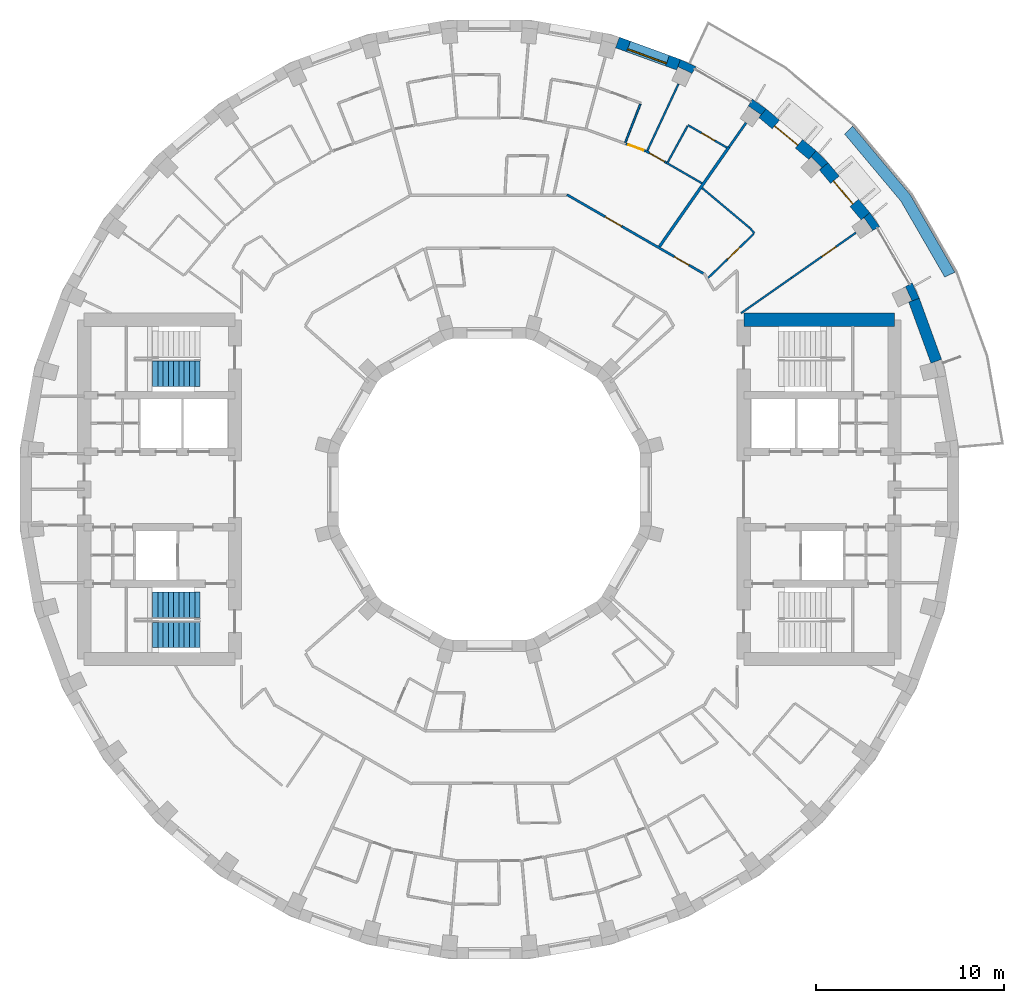
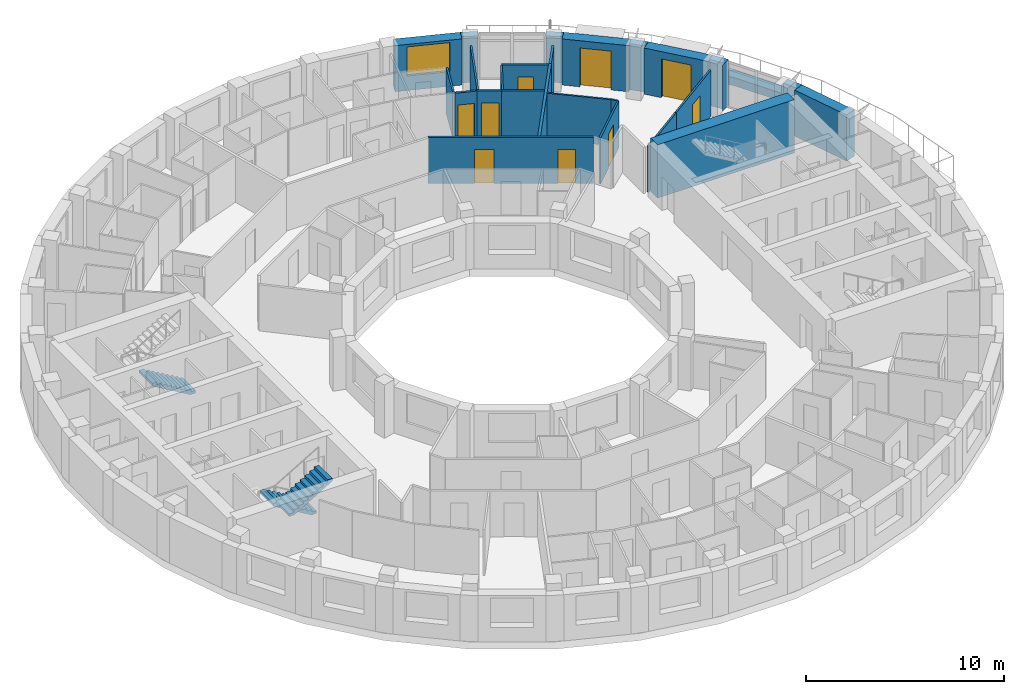
# One storey, part 13 of 15: 26 walls, 9 doors, 3 stair flights, 1 window, 10 openings, 2 elements without a shape of their own.
"""IFC4 building model written with IfcOpenShell, lengths in metres."""

from ifc_helpers import new_model, si_unit, direction, frame, frame_2d, origin, place, context, subcontext, project, spatial, polyline, rectangle, outline, extrude, material, layer, layer_set, type_object, element, fill, aggregate, save


model = new_model("IFC4")

# Units and contexts
model_context = context("Model", 3, precision=1e-05, world=origin(), true_north=direction((0.0, 1.0)))
body_context = subcontext(model_context, "Body", "Model", "MODEL_VIEW")
ifc_project = project(units=[si_unit("LENGTHUNIT", "METRE"), si_unit("AREAUNIT", "SQUARE_METRE"), si_unit("VOLUMEUNIT", "CUBIC_METRE"), si_unit("PLANEANGLEUNIT", "RADIAN"), si_unit("MASSUNIT", "GRAM", prefix="KILO")], contexts=[model_context])

# Site, building, storey
site_placement = place(None, origin())
site = spatial("IfcSite", under=ifc_project, at=site_placement, CompositionType="ELEMENT")
building_placement = place(site_placement, origin())
building = spatial("IfcBuilding", under=site, at=building_placement, Name="Saqina Gate Tower", CompositionType="ELEMENT")
storey_placement = place(building_placement, frame((0.0, 0.0, 190.5)))
storey = spatial("IfcBuildingStorey", under=building, at=storey_placement, Name="L54", CompositionType="ELEMENT", Elevation=190.5)

# Walls
ifc_material_1 = material(Name="Brick masonry (buff)", Category="masonry")
wall_type_1 = type_object("IfcWallType", Name="BRICK PIER COPING BUFF", PredefinedType="SOLIDWALL", material=ifc_material_1)
wall_1_placement = place(storey_placement, origin())
element("IfcWall", 1, at=wall_1_placement, inside=storey, type_object=wall_type_1, Name="Pier cap L54 column 3", PredefinedType="SOLIDWALL", context=body_context, shape_type="SweptSolid", body=[
    extrude(outline(polyline([(22.4306640625, 10.958740234375), (21.9111328125, 10.65869140625), (22.080810546875, 10.73779296875), (22.4189453125, 10.0126953125), (22.249267578125, 9.93359375), (22.81298828125, 10.138916015625), (22.4306640625, 10.958740234375)])), origin(), (0.0, 0.0, 1.0), 2.85009765625),
])
wall_2_placement = place(storey_placement, origin())
element("IfcWall", 2, at=wall_2_placement, inside=storey, type_object=wall_type_1, Name="Pier cap L54 column 4", PredefinedType="SOLIDWALL", context=body_context, shape_type="SweptSolid", body=[
    extrude(outline(polyline([(20.705810546875, 13.9462890625), (20.18701171875, 14.687255859375), (19.727294921875, 14.301513671875), (19.880859375, 14.408935546875), (20.339599609375, 13.753662109375), (20.186279296875, 13.646240234375), (20.705810546875, 13.9462890625)])), origin(), (0.0, 0.0, 1.0), 2.85009765625),
])
wall_3_placement = place(storey_placement, origin())
element("IfcWall", 3, at=wall_3_placement, inside=storey, type_object=wall_type_1, Name="Pier cap L54 column 5", PredefinedType="SOLIDWALL", context=body_context, shape_type="SweptSolid", body=[
    extrude(outline(polyline([(17.329833984375, 17.969482421875), (16.944091796875, 17.510009765625), (17.07666015625, 17.642333984375), (17.642333984375, 17.07666015625), (17.510009765625, 16.944091796875), (17.969482421875, 17.329833984375), (17.329833984375, 17.969482421875)])), origin(), (0.0, 0.0, 1.0), 2.85009765625),
])
wall_4_placement = place(storey_placement, origin())
element("IfcWall", 4, at=wall_4_placement, inside=storey, type_object=wall_type_1, Name="Pier cap L54 column 6", PredefinedType="SOLIDWALL", context=body_context, shape_type="SweptSolid", body=[
    extrude(outline(polyline([(14.687255859375, 20.18701171875), (13.9462890625, 20.705810546875), (13.646240234375, 20.186279296875), (13.753662109375, 20.339599609375), (14.408935546875, 19.880859375), (14.301513671875, 19.727294921875), (14.687255859375, 20.18701171875)])), origin(), (0.0, 0.0, 1.0), 2.85009765625),
])
wall_5_placement = place(storey_placement, origin())
element("IfcWall", 5, at=wall_5_placement, inside=storey, type_object=wall_type_1, Name="Pier cap L54 column 7", PredefinedType="SOLIDWALL", context=body_context, shape_type="SweptSolid", body=[
    extrude(outline(polyline([(10.138916015625, 22.81298828125), (9.93359375, 22.249267578125), (10.0126953125, 22.4189453125), (10.73779296875, 22.080810546875), (10.65869140625, 21.9111328125), (10.958740234375, 22.4306640625), (10.138916015625, 22.81298828125)])), origin(), (0.0, 0.0, 1.0), 2.85009765625),
])

# Wall, opening, door
ifc_material_2 = material(Name="Brick masonry (buff)", Category="masonry")
ifc_layer_1 = layer(ifc_material_2, 0.60009765625)
ifc_layer_set_1 = layer_set([ifc_layer_1], Name="FW-BRICK-BUFF")
wall_type_2 = type_object("IfcWallType", Name="FW-BRICK-BUFF", PredefinedType="SOLIDWALL", material=ifc_layer_set_1)
wall_6_placement = place(storey_placement, frame((19.95703125, 14.494384765625, 0.0), z_axis=(0.0, 0.0, 1.0), x_axis=(-0.642770398358, 0.766058884809, 0.0)))
wall_6 = element("IfcWall", 6, at=wall_6_placement, inside=storey, type_object=wall_type_2, Name="Facade wall L54 facet 4", PredefinedType="SOLIDWALL", context=body_context, shape_type="SweptSolid", body=[
    extrude(rectangle(XDim=3.449462890625, YDim=0.60009765625, at=frame_2d((1.724609375, 0.0))), origin(), (0.0, 0.0, 1.0), 2.85009765625),
])
opening_1_placement = place(wall_6_placement, frame((0.9248046875, 0.0, 0.0)))
opening_1 = element("IfcOpeningElement", 7, at=opening_1_placement, cuts=wall_6, Name="Opening G16-D80", PredefinedType="OPENING", context=body_context, shape_type="SweptSolid", body=[
    extrude(rectangle(XDim=1.60009765625, YDim=2.39990234375, at=frame_2d((0.800048828125, 1.199951171875))), frame((0.0, 0.31201171875, 0.0), z_axis=(0.0, -1.0, 0.0), x_axis=(1.0, 0.0, 0.0)), (0.0, 0.0, 1.0), 0.6240234375),
])
ifc_material_3 = material(Name="Aluminium glazing", Category="aluminium")
door_type_1 = type_object("IfcDoorType", Name="GD-C", OperationType="DOUBLE_DOOR_SINGLE_SWING", PredefinedType="DOOR", material=ifc_material_3)
door_1_placement = place(opening_1_placement, frame((1.60009765625, 0.0, 0.0), z_axis=(0.0, 0.0, 1.0), x_axis=(-1.0, 0.0, 0.0)))
door_1 = element("IfcDoor", 8, at=door_1_placement, inside=storey, type_object=door_type_1, Name="Terrace door L54 facet 4", OperationType="DOUBLE_DOOR_SINGLE_SWING", OverallHeight=2.39990234375, OverallWidth=1.60009765625, PredefinedType="DOOR", context=body_context, shape_type="SweptSolid", body=[
    extrude(rectangle(XDim=1.60009765625, YDim=2.39990234375, at=frame_2d((0.800048828125, 1.199951171875))), frame((0.0, -0.0751953125, 0.0), z_axis=(0.0, -1.0, 0.0), x_axis=(1.0, 0.0, 0.0)), (0.0, 0.0, 1.0), 0.050048828125),
])
fill(opening_1, door_1)

wall_7_placement = place(storey_placement, frame((17.136962890625, 17.73974609375, 0.0), z_axis=(0.0, 0.0, 1.0), x_axis=(-0.766058884809, 0.642770398358, 0.0)))
wall_7 = element("IfcWall", 9, at=wall_7_placement, inside=storey, type_object=wall_type_2, Name="Facade wall L54 facet 5", PredefinedType="SOLIDWALL", context=body_context, shape_type="SweptSolid", body=[
    extrude(rectangle(XDim=3.449462890625, YDim=0.60009765625, at=frame_2d((1.724609375, 0.0))), origin(), (0.0, 0.0, 1.0), 2.85009765625),
])
opening_2_placement = place(wall_7_placement, frame((0.9248046875, 0.0, 0.0)))
opening_2 = element("IfcOpeningElement", 10, at=opening_2_placement, cuts=wall_7, Name="Opening G16-D81", PredefinedType="OPENING", context=body_context, shape_type="SweptSolid", body=[
    extrude(rectangle(XDim=1.60009765625, YDim=2.39990234375, at=frame_2d((0.800048828125, 1.199951171875))), frame((0.0, 0.31201171875, 0.0), z_axis=(0.0, -1.0, 0.0), x_axis=(1.0, 0.0, 0.0)), (0.0, 0.0, 1.0), 0.6240234375),
])
door_2_placement = place(opening_2_placement, frame((1.60009765625, 0.0, 0.0), z_axis=(0.0, 0.0, 1.0), x_axis=(-1.0, 0.0, 0.0)))
door_2 = element("IfcDoor", 11, at=door_2_placement, inside=storey, type_object=door_type_1, Name="Terrace door L54 facet 5", OperationType="DOUBLE_DOOR_SINGLE_SWING", OverallHeight=2.39990234375, OverallWidth=1.60009765625, PredefinedType="DOOR", context=body_context, shape_type="SweptSolid", body=[
    extrude(rectangle(XDim=1.60009765625, YDim=2.39990234375, at=frame_2d((0.800048828125, 1.199951171875))), frame((0.0, -0.0751953125, 0.0), z_axis=(0.0, -1.0, 0.0), x_axis=(1.0, 0.0, 0.0)), (0.0, 0.0, 1.0), 0.050048828125),
])
fill(opening_2, door_2)

# Wall, opening, window
wall_8_placement = place(storey_placement, frame((10.0361328125, 22.531005859375, 0.0), z_axis=(0.0, 0.0, 1.0), x_axis=(-0.93968799822, 0.342032843455, 0.0)))
wall_8 = element("IfcWall", 12, at=wall_8_placement, inside=storey, type_object=wall_type_2, Name="Facade wall L54 facet 7", PredefinedType="SOLIDWALL", context=body_context, shape_type="SweptSolid", body=[
    extrude(rectangle(XDim=3.44970703125, YDim=0.60009765625, at=frame_2d((1.724853515625, 0.0))), origin(), (0.0, 0.0, 1.0), 2.85009765625),
])
opening_3_placement = place(wall_8_placement, frame((0.625, 0.0, 0.89990234375)))
opening_3 = element("IfcOpeningElement", 13, at=opening_3_placement, cuts=wall_8, Name="Opening G16-W01", PredefinedType="OPENING", context=body_context, shape_type="SweptSolid", body=[
    extrude(rectangle(XDim=2.199951171875, YDim=1.800048828125, at=frame_2d((1.10009765625, 0.89990234375))), frame((0.0, 0.31201171875, 0.0), z_axis=(0.0, -1.0, 0.0), x_axis=(1.0, 0.0, 0.0)), (0.0, 0.0, 1.0), 0.6240234375),
])
ifc_material_4 = material(Name="Aluminium glazing", Category="aluminium")
window_type = type_object("IfcWindowType", Name="WN-C", PartitioningType="SINGLE_PANEL", PredefinedType="WINDOW", material=ifc_material_4)
window_placement = place(opening_3_placement, origin())
window = element("IfcWindow", 14, at=window_placement, inside=storey, type_object=window_type, Name="Window L54 facet 7", OverallHeight=1.800048828125, OverallWidth=2.199951171875, PartitioningType="SINGLE_PANEL", PredefinedType="WINDOW", context=body_context, shape_type="SweptSolid", body=[
    extrude(rectangle(XDim=2.199951171875, YDim=1.800048828125, at=frame_2d((1.10009765625, 0.89990234375))), frame((0.0, 0.179931640625, 0.0), z_axis=(0.0, -1.0, 0.0), x_axis=(1.0, 0.0, 0.0)), (0.0, 0.0, 1.0), 0.06005859375),
])
fill(opening_3, window)

# Walls
ifc_material_5 = material(Name="Glazed ceramic tile (white)", Category="ceramic")
ifc_layer_2 = layer(ifc_material_5, 0.60009765625)
ifc_layer_set_2 = layer_set([ifc_layer_2], Name="FW-TILE-WH")
wall_type_3 = type_object("IfcWallType", Name="FW-TILE-WH", PredefinedType="SOLIDWALL", material=ifc_layer_set_2)
wall_9_placement = place(storey_placement, frame((23.7109375, 6.79443359375, 0.0), z_axis=(0.0, 0.0, 1.0), x_axis=(-0.342032843455, 0.93968799822, 0.0)))
element("IfcWall", 15, at=wall_9_placement, inside=storey, type_object=wall_type_3, Name="Facade wall L54 facet 2", PredefinedType="SOLIDWALL", context=body_context, shape_type="SweptSolid", body=[
    extrude(rectangle(XDim=3.44970703125, YDim=0.60009765625, at=frame_2d((1.724853515625, 0.0))), origin(), (0.0, 0.0, 1.0), 2.85009765625),
])
ifc_material_6 = material(Name="Gypsum board on steel studs, 100 mm", Category="steel")
ifc_layer_3 = layer(ifc_material_6, 0.10009765625)
ifc_layer_set_3 = layer_set([ifc_layer_3], Name="PARTITION 100")
wall_type_4 = type_object("IfcWallType", Name="PARTITION 100", PredefinedType="PARTITIONING", material=ifc_layer_set_3)
wall_10_placement = place(storey_placement, frame((13.8125, 13.884033203125, 0.0), z_axis=(0.0, 0.0, 1.0), x_axis=(0.641432894875, -0.767179145554, 0.0)))
element("IfcWall", 16, at=wall_10_placement, inside=storey, type_object=wall_type_4, Name="PARTITION PW3-21", PredefinedType="PARTITIONING", context=body_context, shape_type="SweptSolid", body=[
    extrude(rectangle(XDim=0.384521484375, YDim=0.10009765625, at=frame_2d((0.1923828125, 0.0))), origin(), (0.0, 0.0, 1.0), 2.85009765625),
])
wall_11_placement = place(storey_placement, frame((11.287353515625, 15.98974609375, 0.0), z_axis=(0.0, 0.0, 1.0), x_axis=(0.766251688806, -0.642540543002, 0.0)))
element("IfcWall", 17, at=wall_11_placement, inside=storey, type_object=wall_type_4, Name="PARTITION PW3-33", PredefinedType="PARTITIONING", context=body_context, shape_type="SweptSolid", body=[
    extrude(rectangle(XDim=3.287841796875, YDim=0.10009765625, at=frame_2d((1.64404296875, 0.0))), origin(), (0.0, 0.0, 1.0), 2.85009765625),
])
wall_12_placement = place(storey_placement, frame((9.392578125, 17.330078125, 0.0), z_axis=(0.0, 0.0, 1.0), x_axis=(0.866049410587, -0.499958416693, 0.0)))
element("IfcWall", 18, at=wall_12_placement, inside=storey, type_object=wall_type_4, Name="PARTITION PW3-39", PredefinedType="PARTITIONING", context=body_context, shape_type="SweptSolid", body=[
    extrude(rectangle(XDim=2.179443359375, YDim=0.10009765625, at=frame_2d((1.08984375, 0.0))), origin(), (0.0, 0.0, 1.0), 2.85009765625),
])

# Wall, opening, door
wall_13_placement = place(storey_placement, frame((10.5380859375, 19.324951171875, 0.0), z_axis=(0.0, 0.0, 1.0), x_axis=(0.866018643436, -0.500011709085, 0.0)))
wall_13 = element("IfcWall", 19, at=wall_13_placement, inside=storey, type_object=wall_type_4, Name="PARTITION PW3-40", PredefinedType="PARTITIONING", context=body_context, shape_type="SweptSolid", body=[
    extrude(rectangle(XDim=2.38671875, YDim=0.10009765625, at=frame_2d((1.193359375, 0.0))), origin(), (0.0, 0.0, 1.0), 2.85009765625),
])
opening_4_placement = place(wall_13_placement, frame((0.830810546875, 0.0, 0.0)))
opening_4 = element("IfcOpeningElement", 20, at=opening_4_placement, cuts=wall_13, Name="Opening G16-D05", PredefinedType="OPENING", context=body_context, shape_type="SweptSolid", body=[
    extrude(rectangle(XDim=0.800048828125, YDim=2.10009765625, at=frame_2d((0.39990234375, 1.050048828125))), frame((0.0, 0.06201171875, 0.0), z_axis=(0.0, -1.0, 0.0), x_axis=(1.0, 0.0, 0.0)), (0.0, 0.0, 1.0), 0.1240234375),
])
ifc_material_7 = material(Name="Timber door leaf, 800 mm", Category="wood")
door_type_2 = type_object("IfcDoorType", Name="DOOR 800 TIMBER", OperationType="SINGLE_SWING_LEFT", PredefinedType="DOOR", material=ifc_material_7)
door_3_placement = place(opening_4_placement, origin())
door_3 = element("IfcDoor", 21, at=door_3_placement, inside=storey, type_object=door_type_2, Name="DOOR G16-D05", OperationType="SINGLE_SWING_RIGHT", OverallHeight=2.10009765625, OverallWidth=0.800048828125, PredefinedType="DOOR", context=body_context, shape_type="SweptSolid", body=[
    extrude(rectangle(XDim=0.800048828125, YDim=2.10009765625, at=frame_2d((0.39990234375, 1.050048828125))), frame((0.0, 0.02490234375, 0.0), z_axis=(0.0, -1.0, 0.0), x_axis=(1.0, 0.0, 0.0)), (0.0, 0.0, 1.0), 0.050048828125),
])
fill(opening_4, door_3)

# Wall
wall_14_placement = place(storey_placement, frame((13.35302734375, 9.349853515625, 0.0), z_axis=(0.0, 0.0, 1.0), x_axis=(0.819123426134, 0.573617305143, 0.0)))
element("IfcWall", 22, at=wall_14_placement, inside=storey, type_object=wall_type_4, Name="PARTITION PW3-75", PredefinedType="PARTITIONING", context=body_context, shape_type="SweptSolid", body=[
    extrude(rectangle(XDim=3.277587890625, YDim=0.10009765625, at=frame_2d((1.638671875, 0.0))), origin(), (0.0, 0.0, 1.0), 2.85009765625),
])

# Wall, opening, door
wall_15_placement = place(storey_placement, frame((16.0380859375, 11.22998046875, 0.0), z_axis=(0.0, 0.0, 1.0), x_axis=(0.819113378634, 0.573631652668, 0.0)))
wall_15 = element("IfcWall", 23, at=wall_15_placement, inside=storey, type_object=wall_type_4, Name="PARTITION PW3-76", PredefinedType="PARTITIONING", context=body_context, shape_type="SweptSolid", body=[
    extrude(rectangle(XDim=4.1611328125, YDim=0.10009765625, at=frame_2d((2.08056640625, 0.0))), origin(), (0.0, 0.0, 1.0), 2.85009765625),
])
opening_5_placement = place(wall_15_placement, frame((1.959228515625, 0.0, 0.0)))
opening_5 = element("IfcOpeningElement", 24, at=opening_5_placement, cuts=wall_15, Name="Opening G16-D01", PredefinedType="OPENING", context=body_context, shape_type="SweptSolid", body=[
    extrude(rectangle(XDim=0.89990234375, YDim=2.10009765625, at=frame_2d((0.449951171875, 1.050048828125))), frame((0.0, 0.06201171875, 0.0), z_axis=(0.0, -1.0, 0.0), x_axis=(1.0, 0.0, 0.0)), (0.0, 0.0, 1.0), 0.1240234375),
])
ifc_material_8 = material(Name="Timber door leaf, 900 mm", Category="wood")
door_type_3 = type_object("IfcDoorType", Name="DOOR 900 TIMBER", OperationType="SINGLE_SWING_LEFT", PredefinedType="DOOR", material=ifc_material_8)
door_4_placement = place(opening_5_placement, origin())
door_4 = element("IfcDoor", 25, at=door_4_placement, inside=storey, type_object=door_type_3, Name="DOOR G16-D01", OperationType="SINGLE_SWING_RIGHT", OverallHeight=2.10009765625, OverallWidth=0.89990234375, PredefinedType="DOOR", context=body_context, shape_type="SweptSolid", body=[
    extrude(rectangle(XDim=0.89990234375, YDim=2.10009765625, at=frame_2d((0.449951171875, 1.050048828125))), frame((0.0, 0.02490234375, 0.0), z_axis=(0.0, -1.0, 0.0), x_axis=(1.0, 0.0, 0.0)), (0.0, 0.0, 1.0), 0.050048828125),
])
fill(opening_5, door_4)

wall_16_placement = place(storey_placement, frame((11.60693359375, 11.218505859375, 0.0), z_axis=(0.0, 0.0, 1.0), x_axis=(0.718956911181, 0.695054645237, 0.0)))
wall_16 = element("IfcWall", 26, at=wall_16_placement, inside=storey, type_object=wall_type_4, Name="PARTITION PW3-79", PredefinedType="PARTITIONING", context=body_context, shape_type="SweptSolid", body=[
    extrude(rectangle(XDim=3.3603515625, YDim=0.10009765625, at=frame_2d((1.68017578125, 0.0))), origin(), (0.0, 0.0, 1.0), 2.85009765625),
])
opening_6_placement = place(wall_16_placement, frame((1.424072265625, 0.0, 0.0)))
opening_6 = element("IfcOpeningElement", 27, at=opening_6_placement, cuts=wall_16, Name="Opening G16-D02", PredefinedType="OPENING", context=body_context, shape_type="SweptSolid", body=[
    extrude(rectangle(XDim=0.89990234375, YDim=2.10009765625, at=frame_2d((0.449951171875, 1.050048828125))), frame((0.0, 0.06201171875, 0.0), z_axis=(0.0, -1.0, 0.0), x_axis=(1.0, 0.0, 0.0)), (0.0, 0.0, 1.0), 0.1240234375),
])
door_5_placement = place(opening_6_placement, frame((0.89990234375, 0.0, 0.0), z_axis=(0.0, 0.0, 1.0), x_axis=(-1.0, 0.0, 0.0)))
door_5 = element("IfcDoor", 28, at=door_5_placement, inside=storey, type_object=door_type_3, Name="DOOR G16-D02", OperationType="SINGLE_SWING_RIGHT", OverallHeight=2.10009765625, OverallWidth=0.89990234375, PredefinedType="DOOR", context=body_context, shape_type="SweptSolid", body=[
    extrude(rectangle(XDim=0.89990234375, YDim=2.10009765625, at=frame_2d((0.449951171875, 1.050048828125))), frame((0.0, 0.02490234375, 0.0), z_axis=(0.0, -1.0, 0.0), x_axis=(1.0, 0.0, 0.0)), (0.0, 0.0, 1.0), 0.050048828125),
])
fill(opening_6, door_5)

# Walls
wall_17_placement = place(storey_placement, frame((9.4658203125, 17.35986328125, 0.0), z_axis=(0.0, 0.0, 1.0), x_axis=(0.479008439349, 0.877810295584, 0.0)))
element("IfcWall", 29, at=wall_17_placement, inside=storey, type_object=wall_type_4, Name="PARTITION PW3-88", PredefinedType="PARTITIONING", context=body_context, shape_type="SweptSolid", body=[
    extrude(rectangle(XDim=2.1884765625, YDim=0.10009765625, at=frame_2d((1.09423828125, 0.0))), origin(), (0.0, 0.0, 1.0), 2.85009765625),
])
wall_18_placement = place(storey_placement, frame((8.385498046875, 17.983642578125, 0.0), z_axis=(0.0, 0.0, 1.0), x_axis=(0.422693421389, 0.906272735723, 0.0)))
element("IfcWall", 30, at=wall_18_placement, inside=storey, type_object=wall_type_4, Name="PARTITION PW3-89", PredefinedType="PARTITIONING", context=body_context, shape_type="SweptSolid", body=[
    extrude(rectangle(XDim=3.8974609375, YDim=0.10009765625, at=frame_2d((1.94873046875, 0.0))), origin(), (0.0, 0.0, 1.0), 2.85009765625),
])
wall_19_placement = place(storey_placement, frame((7.2138671875, 18.41015625, 0.0), z_axis=(0.0, 0.0, 1.0), x_axis=(0.364647558209, 0.931145616052, 0.0)))
element("IfcWall", 31, at=wall_19_placement, inside=storey, type_object=wall_type_4, Name="PARTITION PW3-91", PredefinedType="PARTITIONING", context=body_context, shape_type="SweptSolid", body=[
    extrude(rectangle(XDim=2.18798828125, YDim=0.10009765625, at=frame_2d((1.093994140625, 0.0))), origin(), (0.0, 0.0, 1.0), 2.85009765625),
])

# Wall, openings, doors
ifc_material_9 = material(Name="Gypsum board on steel studs, 125 mm, fire rated", Category="steel")
ifc_layer_4 = layer(ifc_material_9, 0.125)
ifc_layer_set_4 = layer_set([ifc_layer_4], Name="PARTITION EI 30 125")
wall_type_5 = type_object("IfcWallType", Name="PARTITION EI 30 125", PredefinedType="PARTITIONING", material=ifc_layer_set_4)
wall_20_placement = place(storey_placement, frame((4.117431640625, 15.635986328125, 0.0), z_axis=(0.0, 0.0, 1.0), x_axis=(0.866032091518, -0.499988416326, 0.0)))
wall_20 = element("IfcWall", 32, at=wall_20_placement, inside=storey, type_object=wall_type_5, Name="PARTITION PW1-16", PredefinedType="PARTITIONING", context=body_context, shape_type="SweptSolid", body=[
    extrude(rectangle(XDim=8.369873046875, YDim=0.125, at=frame_2d((4.18505859375, 0.0))), origin(), (0.0, 0.0, 1.0), 2.85009765625),
])
opening_7_placement = place(wall_20_placement, frame((6.574462890625, 0.0, 0.0)))
opening_7 = element("IfcOpeningElement", 33, at=opening_7_placement, cuts=wall_20, Name="Opening G16-D03", PredefinedType="OPENING", context=body_context, shape_type="SweptSolid", body=[
    extrude(rectangle(XDim=0.89990234375, YDim=2.10009765625, at=frame_2d((0.449951171875, 1.050048828125))), frame((0.0, 0.074462890625, 0.0), z_axis=(0.0, -1.0, 0.0), x_axis=(1.0, 0.0, 0.0)), (0.0, 0.0, 1.0), 0.14892578125),
])
opening_8_placement = place(wall_20_placement, frame((2.344482421875, 0.0, 0.0)))
opening_8 = element("IfcOpeningElement", 34, at=opening_8_placement, cuts=wall_20, Name="Opening G16-D08", PredefinedType="OPENING", context=body_context, shape_type="SweptSolid", body=[
    extrude(rectangle(XDim=1.0, YDim=2.10009765625, at=frame_2d((0.5, 1.050048828125))), frame((0.0, 0.074462890625, 0.0), z_axis=(0.0, -1.0, 0.0), x_axis=(1.0, 0.0, 0.0)), (0.0, 0.0, 1.0), 0.14892578125),
])
ifc_material_10 = material(Name="Fire door leaf EI 30, 1000 mm")
door_type_4 = type_object("IfcDoorType", Name="DOOR 1000 EI 30", OperationType="SINGLE_SWING_LEFT", PredefinedType="DOOR", material=ifc_material_10)
door_6_placement = place(opening_8_placement, origin())
door_6 = element("IfcDoor", 35, at=door_6_placement, inside=storey, type_object=door_type_4, Name="DOOR G16-D08", OperationType="SINGLE_SWING_LEFT", OverallHeight=2.10009765625, OverallWidth=1.0, PredefinedType="DOOR", context=body_context, shape_type="SweptSolid", body=[
    extrude(rectangle(XDim=1.0, YDim=2.10009765625, at=frame_2d((0.5, 1.050048828125))), frame((0.0, 0.02490234375, 0.0), z_axis=(0.0, -1.0, 0.0), x_axis=(1.0, 0.0, 0.0)), (0.0, 0.0, 1.0), 0.050048828125),
])
fill(opening_8, door_6)
ifc_material_11 = material(Name="Fire door leaf EI 30, 900 mm")
door_type_5 = type_object("IfcDoorType", Name="DOOR 900 EI 30", OperationType="SINGLE_SWING_LEFT", PredefinedType="DOOR", material=ifc_material_11)
door_7_placement = place(opening_7_placement, origin())
door_7 = element("IfcDoor", 36, at=door_7_placement, inside=storey, type_object=door_type_5, Name="DOOR G16-D03", OperationType="SINGLE_SWING_RIGHT", OverallHeight=2.10009765625, OverallWidth=0.89990234375, PredefinedType="DOOR", context=body_context, shape_type="SweptSolid", body=[
    extrude(rectangle(XDim=0.89990234375, YDim=2.10009765625, at=frame_2d((0.449951171875, 1.050048828125))), frame((0.0, 0.02490234375, 0.0), z_axis=(0.0, -1.0, 0.0), x_axis=(1.0, 0.0, 0.0)), (0.0, 0.0, 1.0), 0.050048828125),
])
fill(opening_7, door_7)

# Wall, opening, door
wall_21_placement = place(storey_placement, frame((8.303955078125, 17.958740234375, 0.0), z_axis=(0.0, 0.0, 1.0), x_axis=(0.866023907196, -0.500002592159, 0.0)))
wall_21 = element("IfcWall", 37, at=wall_21_placement, inside=storey, type_object=wall_type_5, Name="PARTITION PW1-17", PredefinedType="PARTITIONING", context=body_context, shape_type="SweptSolid", body=[
    extrude(rectangle(XDim=1.25732421875, YDim=0.125, at=frame_2d((0.628662109375, 0.0))), origin(), (0.0, 0.0, 1.0), 2.85009765625),
])
opening_9_placement = place(wall_21_placement, frame((0.2353515625, 0.0, 0.0)))
opening_9 = element("IfcOpeningElement", 38, at=opening_9_placement, cuts=wall_21, Name="Opening G16-D07", PredefinedType="OPENING", context=body_context, shape_type="SweptSolid", body=[
    extrude(rectangle(XDim=0.89990234375, YDim=2.10009765625, at=frame_2d((0.449951171875, 1.050048828125))), frame((0.0, 0.074462890625, 0.0), z_axis=(0.0, -1.0, 0.0), x_axis=(1.0, 0.0, 0.0)), (0.0, 0.0, 1.0), 0.14892578125),
])
door_8_placement = place(opening_9_placement, frame((0.89990234375, 0.0, 0.0), z_axis=(0.0, 0.0, 1.0), x_axis=(-1.0, 0.0, 0.0)))
door_8 = element("IfcDoor", 39, at=door_8_placement, inside=storey, type_object=door_type_5, Name="DOOR G16-D07", OperationType="SINGLE_SWING_RIGHT", OverallHeight=2.10009765625, OverallWidth=0.89990234375, PredefinedType="DOOR", context=body_context, shape_type="SweptSolid", body=[
    extrude(rectangle(XDim=0.89990234375, YDim=2.10009765625, at=frame_2d((0.449951171875, 1.050048828125))), frame((0.0, 0.02490234375, 0.0), z_axis=(0.0, -1.0, 0.0), x_axis=(1.0, 0.0, 0.0)), (0.0, 0.0, 1.0), 0.050048828125),
])
fill(opening_9, door_8)

wall_22_placement = place(storey_placement, frame((7.238037109375, 18.3349609375, 0.0), z_axis=(0.0, 0.0, 1.0), x_axis=(0.939736656196, -0.341899132788, 0.0)))
wall_22 = element("IfcWall", 40, at=wall_22_placement, inside=storey, type_object=wall_type_5, Name="PARTITION PW1-19", PredefinedType="PARTITIONING", context=body_context, shape_type="SweptSolid", body=[
    extrude(rectangle(XDim=1.13037109375, YDim=0.125, at=frame_2d((0.565185546875, 0.0))), origin(), (0.0, 0.0, 1.0), 2.85009765625),
])
opening_10_placement = place(wall_22_placement, frame((0.146484375, 0.0, 0.0)))
opening_10 = element("IfcOpeningElement", 41, at=opening_10_placement, cuts=wall_22, Name="Opening G16-D09", PredefinedType="OPENING", context=body_context, shape_type="SweptSolid", body=[
    extrude(rectangle(XDim=0.85009765625, YDim=2.10009765625, at=frame_2d((0.425048828125, 1.050048828125))), frame((0.0, 0.074462890625, 0.0), z_axis=(0.0, -1.0, 0.0), x_axis=(1.0, 0.0, 0.0)), (0.0, 0.0, 1.0), 0.14892578125),
])
ifc_material_12 = material(Name="Fire door leaf EI 30, 850 mm")
door_type_6 = type_object("IfcDoorType", Name="DOOR 850 EI 30", OperationType="SINGLE_SWING_LEFT", PredefinedType="DOOR", material=ifc_material_12)
door_9_placement = place(opening_10_placement, frame((0.85009765625, 0.0, 0.0), z_axis=(0.0, 0.0, 1.0), x_axis=(-1.0, 0.0, 0.0)))
door_9 = element("IfcDoor", 42, at=door_9_placement, inside=storey, type_object=door_type_6, Name="DOOR G16-D09", OperationType="SINGLE_SWING_LEFT", OverallHeight=2.10009765625, OverallWidth=0.85009765625, PredefinedType="DOOR", context=body_context, shape_type="SweptSolid", body=[
    extrude(rectangle(XDim=0.85009765625, YDim=2.10009765625, at=frame_2d((0.425048828125, 1.050048828125))), frame((0.0, 0.02490234375, 0.0), z_axis=(0.0, -1.0, 0.0), x_axis=(1.0, 0.0, 0.0)), (0.0, 0.0, 1.0), 0.050048828125),
])
fill(opening_10, door_9)

# Walls
wall_23_placement = place(storey_placement, frame((12.712890625, 18.155517578125, 0.0), z_axis=(0.0, 0.0, 1.0), x_axis=(0.573607882282, 0.819130024712, 0.0)))
element("IfcWall", 43, at=wall_23_placement, inside=storey, type_object=wall_type_5, Name="PARTITION PW1-45", PredefinedType="PARTITIONING", context=body_context, shape_type="SweptSolid", body=[
    extrude(rectangle(XDim=1.576171875, YDim=0.125, at=frame_2d((0.7880859375, 0.0))), origin(), (0.0, 0.0, 1.0), 2.85009765625),
])
ifc_material_13 = material(Name="Gypsum board on steel studs, 150 mm, fire rated", Category="steel")
ifc_layer_5 = layer(ifc_material_13, 0.14990234375)
ifc_layer_set_5 = layer_set([ifc_layer_5], Name="PARTITION EI 60 150")
wall_type_6 = type_object("IfcWallType", Name="PARTITION EI 60 150", PredefinedType="PARTITIONING", material=ifc_layer_set_5)
wall_24_placement = place(storey_placement, frame((9.019775390625, 12.8779296875, 0.0), z_axis=(0.0, 0.0, 1.0), x_axis=(0.573070545271, 0.819506040334, 0.0)))
element("IfcWall", 44, at=wall_24_placement, inside=storey, type_object=wall_type_6, Name="PARTITION PW2-05", PredefinedType="PARTITIONING", context=body_context, shape_type="SweptSolid", body=[
    extrude(rectangle(XDim=6.44140625, YDim=0.14990234375, at=frame_2d((3.220703125, 0.0))), origin(), (0.0, 0.0, 1.0), 2.85009765625),
])
ifc_material_14 = material(Name="Brick masonry (red)", Category="masonry")
ifc_layer_6 = layer(ifc_material_14, 0.60009765625)
ifc_layer_set_6 = layer_set([ifc_layer_6], Name="PL-PLANTER")
wall_type_7 = type_object("IfcWallType", Name="PL-PLANTER", PredefinedType="PARAPET", material=ifc_layer_set_6)
wall_25_placement = place(storey_placement, origin())
element("IfcWall", 45, at=wall_25_placement, inside=storey, type_object=wall_type_7, Name="Planter L54", PredefinedType="PARAPET", context=body_context, shape_type="SweptSolid", body=[
    extrude(outline(polyline([(24.70458984375, 11.52001953125), (22.328857421875, 15.635009765625), (19.274658203125, 19.274658203125), (18.848876953125, 18.848876953125), (21.835693359375, 15.289306640625), (24.15869140625, 11.265380859375), (24.70458984375, 11.52001953125)])), origin(), (0.0, 0.0, 1.0), 0.5),
])
ifc_material_15 = material(Name="Concrete C60/75", Category="concrete")
ifc_layer_7 = layer(ifc_material_15, 0.699951171875)
ifc_layer_set_7 = layer_set([ifc_layer_7], Name="Concrete C60/75")
wall_type_8 = type_object("IfcWallType", Name="STR-CORE WALL-C-O", PredefinedType="SHEAR", material=ifc_layer_set_7)
wall_26_placement = place(storey_placement, frame((13.5, 9.0, 0.0), z_axis=(0.0, 0.0, 1.0), x_axis=(1.0, 0.0, 0.0)))
element("IfcWall", 46, at=wall_26_placement, inside=storey, type_object=wall_type_8, Name="CORE WALL L54 E-NE", PredefinedType="SHEAR", context=body_context, shape_type="SweptSolid", body=[
    extrude(rectangle(XDim=8.0, YDim=0.699951171875, at=frame_2d((4.0, 0.0))), origin(), (0.0, 0.0, 1.0), 3.300048828125),
])

# Stair, stair flight
ifc_material_16 = material(Name="Concrete C40/50", Category="concrete")
stair_type = type_object("IfcStairType", Name="EXIT STAIR", PredefinedType="HALF_TURN_STAIR", material=ifc_material_16)
stair_1_placement = place(storey_placement, origin())
stair_1 = element("IfcStair", 47, at=stair_1_placement, inside=storey, type_object=stair_type, Name="EXIT STAIR 3", PredefinedType="HALF_TURN_STAIR")
ifc_material_17 = material(Name="Concrete C40/50", Category="concrete")
stair_flight_type = type_object("IfcStairFlightType", Name="EXIT STAIR FLIGHT", PredefinedType="STRAIGHT", material=ifc_material_17)
stair_flight_1_placement = place(storey_placement, frame((-15.35009765625, 6.125, 0.0), z_axis=(0.0, 0.0, 1.0), x_axis=(-1.0, 0.0, 0.0)))
stair_flight_1 = element("IfcStairFlight", 48, at=stair_flight_1_placement, type_object=stair_flight_type, Name="EXIT STAIR 3 FLIGHT 1", NumberOfRisers=10, NumberOfTreads=9, PredefinedType="STRAIGHT", RiserHeight=0.165, TreadLength=0.28, context=body_context, shape_type="SweptSolid", body=[
    extrude(outline(polyline([(0.0, 0.0), (0.0, 0.1650390625), (0.280029296875, 0.1650390625), (0.280029296875, 0.330078125), (0.56005859375, 0.330078125), (0.56005859375, 0.4951171875), (0.840087890625, 0.4951171875), (0.840087890625, 0.659912109375), (1.1201171875, 0.659912109375), (1.1201171875, 0.824951171875), (1.39990234375, 0.824951171875), (1.39990234375, 0.989990234375), (1.679931640625, 0.989990234375), (1.679931640625, 1.155029296875), (1.9599609375, 1.155029296875), (1.9599609375, 1.320068359375), (2.239990234375, 1.320068359375), (2.239990234375, 1.485107421875), (2.52001953125, 1.485107421875), (2.52001953125, 1.64990234375), (2.52001953125, 1.31103515625), (0.295166015625, 0.0), (0.0, 0.0)])), frame((0.0, 0.675048828125, 0.0), z_axis=(0.0, -1.0, 0.0), x_axis=(1.0, 0.0, 0.0)), (0.0, 0.0, 1.0), 1.35009765625),
])
aggregate(stair_1, [stair_flight_1])

# Stair, stair flights
stair_2_placement = place(storey_placement, origin())
stair_2 = element("IfcStair", 49, at=stair_2_placement, inside=storey, type_object=stair_type, Name="EXIT STAIR 4", PredefinedType="HALF_TURN_STAIR")
stair_flight_2_placement = place(storey_placement, frame((-15.35009765625, -6.125, 0.0), z_axis=(0.0, 0.0, 1.0), x_axis=(-1.0, 0.0, 0.0)))
stair_flight_2 = element("IfcStairFlight", 50, at=stair_flight_2_placement, type_object=stair_flight_type, Name="EXIT STAIR 4 FLIGHT 1", NumberOfRisers=10, NumberOfTreads=9, PredefinedType="STRAIGHT", RiserHeight=0.165, TreadLength=0.28, context=body_context, shape_type="SweptSolid", body=[
    extrude(outline(polyline([(0.0, 0.0), (0.0, 0.1650390625), (0.280029296875, 0.1650390625), (0.280029296875, 0.330078125), (0.56005859375, 0.330078125), (0.56005859375, 0.4951171875), (0.840087890625, 0.4951171875), (0.840087890625, 0.659912109375), (1.1201171875, 0.659912109375), (1.1201171875, 0.824951171875), (1.39990234375, 0.824951171875), (1.39990234375, 0.989990234375), (1.679931640625, 0.989990234375), (1.679931640625, 1.155029296875), (1.9599609375, 1.155029296875), (1.9599609375, 1.320068359375), (2.239990234375, 1.320068359375), (2.239990234375, 1.485107421875), (2.52001953125, 1.485107421875), (2.52001953125, 1.64990234375), (2.52001953125, 1.31103515625), (0.295166015625, 0.0), (0.0, 0.0)])), frame((0.0, 0.675048828125, 0.0), z_axis=(0.0, -1.0, 0.0), x_axis=(1.0, 0.0, 0.0)), (0.0, 0.0, 1.0), 1.35009765625),
])
stair_flight_3_placement = place(storey_placement, frame((-17.8701171875, -7.72509765625, 1.64990234375), z_axis=(0.0, 0.0, 1.0), x_axis=(1.0, 0.0, 0.0)))
stair_flight_3 = element("IfcStairFlight", 51, at=stair_flight_3_placement, type_object=stair_flight_type, Name="EXIT STAIR 4 FLIGHT 2", NumberOfRisers=10, NumberOfTreads=9, PredefinedType="STRAIGHT", RiserHeight=0.165, TreadLength=0.28, context=body_context, shape_type="SweptSolid", body=[
    extrude(outline(polyline([(0.0, 0.0), (0.0, 0.1650390625), (0.280029296875, 0.1650390625), (0.280029296875, 0.330078125), (0.56005859375, 0.330078125), (0.56005859375, 0.4951171875), (0.840087890625, 0.4951171875), (0.840087890625, 0.659912109375), (1.1201171875, 0.659912109375), (1.1201171875, 0.824951171875), (1.39990234375, 0.824951171875), (1.39990234375, 0.989990234375), (1.679931640625, 0.989990234375), (1.679931640625, 1.155029296875), (1.9599609375, 1.155029296875), (1.9599609375, 1.320068359375), (2.239990234375, 1.320068359375), (2.239990234375, 1.485107421875), (2.52001953125, 1.485107421875), (2.52001953125, 1.64990234375), (2.52001953125, 1.31103515625), (0.295166015625, 0.0), (0.0, 0.0)])), frame((0.0, 0.675048828125, 0.0), z_axis=(0.0, -1.0, 0.0), x_axis=(1.0, 0.0, 0.0)), (0.0, 0.0, 1.0), 1.35009765625),
])
aggregate(stair_2, [stair_flight_2, stair_flight_3])

save(model, "model.ifc")
